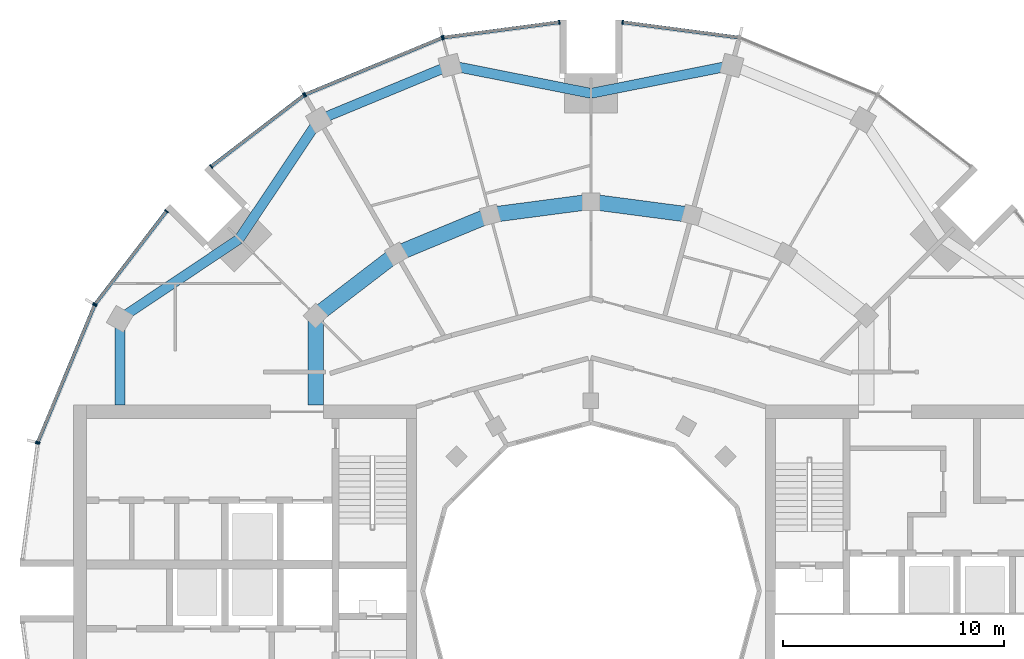
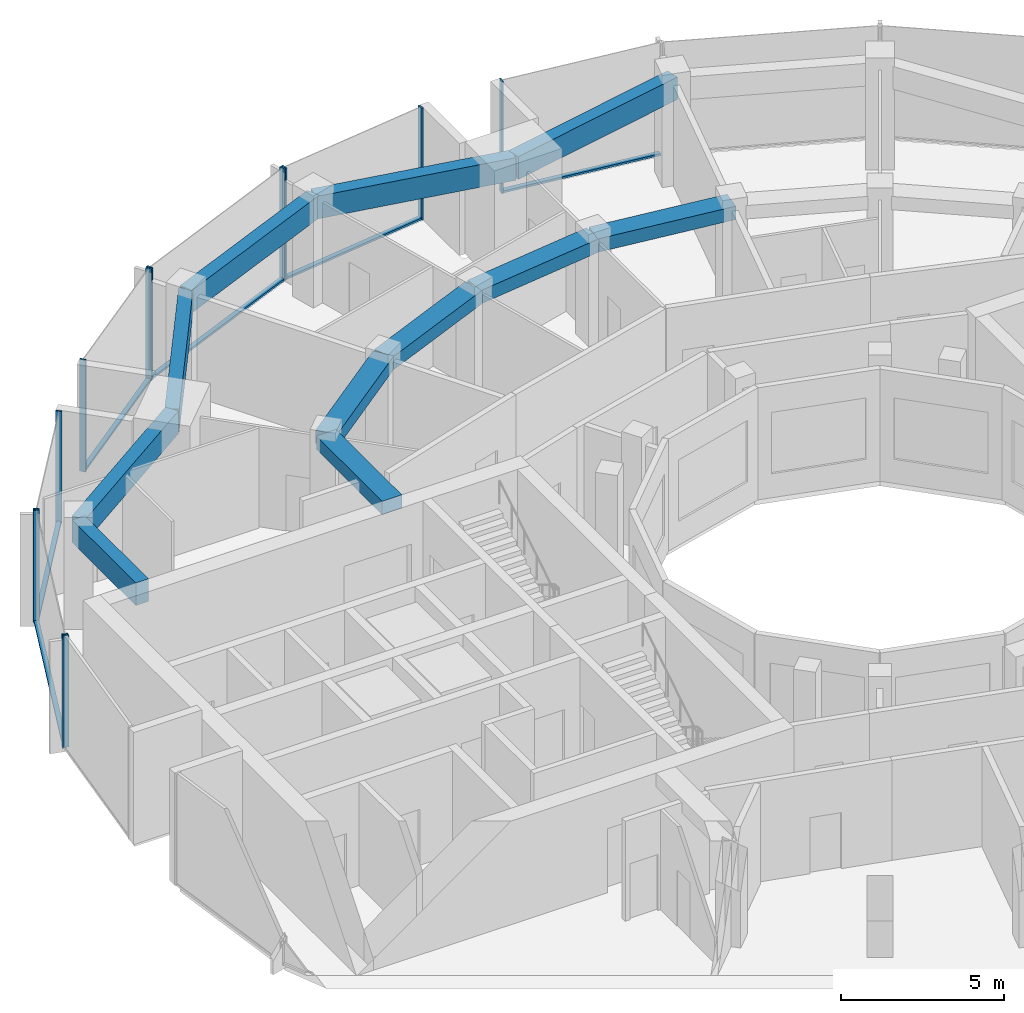
# One storey, part 5 of 15: 18 members, 11 beams, 7 elements without a shape of their own.
"""IFC4 building model written with IfcOpenShell, lengths in metres."""

from ifc_helpers import new_model, si_unit, direction, frame, origin, origin_2d, place, context, subcontext, project, spatial, rectangle, extrude, material, layer, layer_set, material_profile, profile_set, type_object, element, aggregate, save


model = new_model("IFC4")

# Units and contexts
model_context = context("Model", 3, precision=1e-05, world=origin(), true_north=direction((0.0, 1.0)))
body_context = subcontext(model_context, "Body", "Model", "MODEL_VIEW")
ifc_project = project(units=[si_unit("LENGTHUNIT", "METRE"), si_unit("AREAUNIT", "SQUARE_METRE"), si_unit("VOLUMEUNIT", "CUBIC_METRE"), si_unit("PLANEANGLEUNIT", "RADIAN"), si_unit("MASSUNIT", "GRAM", prefix="KILO")], contexts=[model_context])

# Site, building, storey
site_placement = place(None, origin())
site = spatial("IfcSite", under=ifc_project, at=site_placement, CompositionType="ELEMENT")
building_placement = place(site_placement, origin())
building = spatial("IfcBuilding", under=site, at=building_placement, Name="Torre Brocal", CompositionType="ELEMENT")
storey_placement = place(building_placement, frame((0.0, 0.0, 262.5)))
storey = spatial("IfcBuildingStorey", under=building, at=storey_placement, Name="L60", CompositionType="ELEMENT", Elevation=262.5)

# Curtain wall, member
ifc_material_1 = material(Name="Aluminium and glass", Category="aluminium")
ifc_layer_1 = layer(ifc_material_1, 0.199951171875)
ifc_layer_set_1 = layer_set([ifc_layer_1], Name="Aluminium and glass")
curtain_wall_type_1 = type_object("IfcCurtainWallType", Name="CW-1 CURTAIN WALL 4200 HIGH", PredefinedType="NOTDEFINED", material=ifc_layer_set_1)
curtain_wall_1_placement = place(storey_placement, origin())
curtain_wall_1 = element("IfcCurtainWall", 1, at=curtain_wall_1_placement, inside=storey, type_object=curtain_wall_type_1, Name="CW-1 RUN 6", PredefinedType="NOTDEFINED")
ifc_material_2 = material(Name="Aluminium, dark anodised", Category="aluminium")
ifc_material_profile_1 = material_profile(ifc_material_2, rectangle(XDim=0.199951171875, YDim=0.06005859375, at=origin_2d()), Name="CW-1 MULLION 60X200")
ifc_profile_set_1 = profile_set([ifc_material_profile_1], Name="Aluminium, dark anodised")
member_type_1 = type_object("IfcMemberType", Name="CW-1 MULLION 60X200", PredefinedType="MULLION", material=ifc_profile_set_1)
member_1_placement = place(storey_placement, frame((81.4296875, 100.7109375, 0.0), z_axis=(0.0, 0.0, 1.0), x_axis=(-0.13052619222, -0.991444861374, 0.0)))
member_1 = element("IfcMember", 2, at=member_1_placement, type_object=member_type_1, Name="CW1-5 mullion 2", PredefinedType="MULLION", context=body_context, shape_type="SweptSolid", body=[
    extrude(rectangle(XDim=0.199951171875, YDim=0.06005859375, at=origin_2d()), origin(), (0.0, 0.0, 1.0), 4.199951171875),
])

# Curtain wall, members
curtain_wall_2_placement = place(storey_placement, origin())
curtain_wall_2 = element("IfcCurtainWall", 3, at=curtain_wall_2_placement, inside=storey, type_object=curtain_wall_type_1, Name="CW-1 RUN 7", PredefinedType="NOTDEFINED")
member_2_placement = place(storey_placement, frame((78.5703125, 100.7109375, 0.0), z_axis=(0.0, 0.0, 1.0), x_axis=(0.13052619222, -0.991444861374, 0.0)))
member_2 = element("IfcMember", 4, at=member_2_placement, type_object=member_type_1, Name="CW1-5 mullion 1", PredefinedType="MULLION", context=body_context, shape_type="SweptSolid", body=[
    extrude(rectangle(XDim=0.199951171875, YDim=0.06005859375, at=origin_2d()), origin(), (0.0, 0.0, 1.0), 4.199951171875),
])
member_3_placement = place(storey_placement, frame((73.32666015625, 100.0205078125, 0.0), z_axis=(0.0, 0.0, 1.0), x_axis=(0.13052619222, -0.991444861374, 0.0)))
member_3 = element("IfcMember", 5, at=member_3_placement, type_object=member_type_1, Name="CW1-5 mullion 2", PredefinedType="MULLION", context=body_context, shape_type="SweptSolid", body=[
    extrude(rectangle(XDim=0.199951171875, YDim=0.06005859375, at=origin_2d()), origin(), (0.0, 0.0, 1.0), 4.199951171875),
])

curtain_wall_3_placement = place(storey_placement, origin())
curtain_wall_3 = element("IfcCurtainWall", 6, at=curtain_wall_3_placement, inside=storey, type_object=curtain_wall_type_1, Name="CW-1 RUN 8", PredefinedType="NOTDEFINED")
member_4_placement = place(storey_placement, frame((73.26904296875, 100.005126953125, 0.0), z_axis=(0.0, 0.0, 1.0), x_axis=(0.382683432333, -0.923879532525, 0.0)))
member_4 = element("IfcMember", 7, at=member_4_placement, type_object=member_type_1, Name="CW1-5 mullion 1", PredefinedType="MULLION", context=body_context, shape_type="SweptSolid", body=[
    extrude(rectangle(XDim=0.199951171875, YDim=0.06005859375, at=origin_2d()), origin(), (0.0, 0.0, 1.0), 4.199951171875),
])
member_5_placement = place(storey_placement, frame((67.078125, 97.440673828125, 0.0), z_axis=(0.0, 0.0, 1.0), x_axis=(0.382683432333, -0.923879532525, 0.0)))
member_5 = element("IfcMember", 8, at=member_5_placement, type_object=member_type_1, Name="CW1-5 mullion 2", PredefinedType="MULLION", context=body_context, shape_type="SweptSolid", body=[
    extrude(rectangle(XDim=0.199951171875, YDim=0.06005859375, at=origin_2d()), origin(), (0.0, 0.0, 1.0), 4.199951171875),
])

curtain_wall_4_placement = place(storey_placement, origin())
curtain_wall_4 = element("IfcCurtainWall", 9, at=curtain_wall_4_placement, inside=storey, type_object=curtain_wall_type_1, Name="CW-1 RUN 9", PredefinedType="NOTDEFINED")
member_6_placement = place(storey_placement, frame((67.026611328125, 97.4111328125, 0.0), z_axis=(0.0, 0.0, 1.0), x_axis=(0.60876142905, -0.793353340259, 0.0)))
member_6 = element("IfcMember", 10, at=member_6_placement, type_object=member_type_1, Name="CW1-5 mullion 1", PredefinedType="MULLION", context=body_context, shape_type="SweptSolid", body=[
    extrude(rectangle(XDim=0.199951171875, YDim=0.06005859375, at=origin_2d()), origin(), (0.0, 0.0, 1.0), 4.199951171875),
])
member_7_placement = place(storey_placement, frame((62.83056640625, 94.19140625, 0.0), z_axis=(0.0, 0.0, 1.0), x_axis=(0.60876142905, -0.793353340259, 0.0)))
member_7 = element("IfcMember", 11, at=member_7_placement, type_object=member_type_1, Name="CW1-5 mullion 2", PredefinedType="MULLION", context=body_context, shape_type="SweptSolid", body=[
    extrude(rectangle(XDim=0.199951171875, YDim=0.06005859375, at=origin_2d()), origin(), (0.0, 0.0, 1.0), 4.199951171875),
])

curtain_wall_5_placement = place(storey_placement, origin())
curtain_wall_5 = element("IfcCurtainWall", 12, at=curtain_wall_5_placement, inside=storey, type_object=curtain_wall_type_1, Name="CW-1 RUN 10", PredefinedType="NOTDEFINED")
member_8_placement = place(storey_placement, frame((60.80859375, 92.16943359375, 0.0), z_axis=(0.0, 0.0, 1.0), x_axis=(0.793353340259, -0.60876142905, 0.0)))
member_8 = element("IfcMember", 13, at=member_8_placement, type_object=member_type_1, Name="CW1-5 mullion 1", PredefinedType="MULLION", context=body_context, shape_type="SweptSolid", body=[
    extrude(rectangle(XDim=0.199951171875, YDim=0.06005859375, at=origin_2d()), origin(), (0.0, 0.0, 1.0), 4.199951171875),
])
member_9_placement = place(storey_placement, frame((57.5888671875, 87.973388671875, 0.0), z_axis=(0.0, 0.0, 1.0), x_axis=(0.793353340259, -0.60876142905, 0.0)))
member_9 = element("IfcMember", 14, at=member_9_placement, type_object=member_type_1, Name="CW1-5 mullion 2", PredefinedType="MULLION", context=body_context, shape_type="SweptSolid", body=[
    extrude(rectangle(XDim=0.199951171875, YDim=0.06005859375, at=origin_2d()), origin(), (0.0, 0.0, 1.0), 4.199951171875),
])

curtain_wall_6_placement = place(storey_placement, origin())
curtain_wall_6 = element("IfcCurtainWall", 15, at=curtain_wall_6_placement, inside=storey, type_object=curtain_wall_type_1, Name="CW-1 RUN 11", PredefinedType="NOTDEFINED")
member_10_placement = place(storey_placement, frame((57.559326171875, 87.921875, 0.0), z_axis=(0.0, 0.0, 1.0), x_axis=(0.923879532525, -0.382683432333, 0.0)))
member_10 = element("IfcMember", 16, at=member_10_placement, type_object=member_type_1, Name="CW1-5 mullion 1", PredefinedType="MULLION", context=body_context, shape_type="SweptSolid", body=[
    extrude(rectangle(XDim=0.199951171875, YDim=0.06005859375, at=origin_2d()), origin(), (0.0, 0.0, 1.0), 4.199951171875),
])
member_11_placement = place(storey_placement, frame((54.994873046875, 81.73095703125, 0.0), z_axis=(0.0, 0.0, 1.0), x_axis=(0.923879532525, -0.382683432333, 0.0)))
member_11 = element("IfcMember", 17, at=member_11_placement, type_object=member_type_1, Name="CW1-5 mullion 2", PredefinedType="MULLION", context=body_context, shape_type="SweptSolid", body=[
    extrude(rectangle(XDim=0.199951171875, YDim=0.06005859375, at=origin_2d()), origin(), (0.0, 0.0, 1.0), 4.199951171875),
])

# Member
ifc_material_3 = material(Name="Aluminium, dark anodised", Category="aluminium")
ifc_material_profile_2 = material_profile(ifc_material_3, rectangle(XDim=0.159912109375, YDim=0.080078125, at=origin_2d()), Name="CW-1 TRANSOM 160X80")
ifc_profile_set_2 = profile_set([ifc_material_profile_2], Name="Aluminium, dark anodised")
member_type_2 = type_object("IfcMemberType", Name="CW-1 TRANSOM 160X80", PredefinedType="USERDEFINED", material=ifc_profile_set_2)
member_12_placement = place(storey_placement, frame((86.643798828125, 100.0244140625, 0.0400390625), z_axis=(-0.991442690863, 0.130542677827, 0.0), x_axis=(-0.130542677827, -0.991442690863, 0.0)))
member_12 = element("IfcMember", 18, at=member_12_placement, type_object=member_type_2, Name="CW1-5 transom 1.1", ObjectType="TRANSOM", PredefinedType="USERDEFINED", context=body_context, shape_type="SweptSolid", body=[
    extrude(rectangle(XDim=0.159912109375, YDim=0.080078125, at=origin_2d()), origin(), (0.0, 0.0, 1.0), 5.22900390625),
])

aggregate(curtain_wall_1, [member_1, member_12])

member_13_placement = place(storey_placement, frame((78.54052734375, 100.70703125, 0.0400390625), z_axis=(-0.991442690863, -0.130542677827, 0.0), x_axis=(0.130542677827, -0.991442690863, 0.0)))
member_13 = element("IfcMember", 19, at=member_13_placement, type_object=member_type_2, Name="CW1-5 transom 1.1", ObjectType="TRANSOM", PredefinedType="USERDEFINED", context=body_context, shape_type="SweptSolid", body=[
    extrude(rectangle(XDim=0.159912109375, YDim=0.080078125, at=origin_2d()), origin(), (0.0, 0.0, 1.0), 5.22900390625),
])

aggregate(curtain_wall_2, [member_2, member_3, member_13])

member_14_placement = place(storey_placement, frame((73.241455078125, 99.99365234375, 0.0400390625), z_axis=(-0.923887344364, -0.38266457234, 0.0), x_axis=(0.38266457234, -0.923887344364, 0.0)))
member_14 = element("IfcMember", 20, at=member_14_placement, type_object=member_type_2, Name="CW1-5 transom 1.1", ObjectType="TRANSOM", PredefinedType="USERDEFINED", context=body_context, shape_type="SweptSolid", body=[
    extrude(rectangle(XDim=0.159912109375, YDim=0.080078125, at=origin_2d()), origin(), (0.0, 0.0, 1.0), 6.640869140625),
])

aggregate(curtain_wall_3, [member_4, member_5, member_14])

member_15_placement = place(storey_placement, frame((67.0029296875, 97.392822265625, 0.0400390625), z_axis=(-0.79336281513, -0.60874908096, 0.0), x_axis=(0.60874908096, -0.79336281513, 0.0)))
member_15 = element("IfcMember", 21, at=member_15_placement, type_object=member_type_2, Name="CW1-5 transom 1.1", ObjectType="TRANSOM", PredefinedType="USERDEFINED", context=body_context, shape_type="SweptSolid", body=[
    extrude(rectangle(XDim=0.159912109375, YDim=0.080078125, at=origin_2d()), origin(), (0.0, 0.0, 1.0), 5.22900390625),
])

aggregate(curtain_wall_4, [member_6, member_7, member_15])

member_16_placement = place(storey_placement, frame((60.790283203125, 92.1455078125, 0.0400390625), z_axis=(-0.60874908096, -0.79336281513, 0.0), x_axis=(0.79336281513, -0.60874908096, 0.0)))
member_16 = element("IfcMember", 22, at=member_16_placement, type_object=member_type_2, Name="CW1-5 transom 1.1", ObjectType="TRANSOM", PredefinedType="USERDEFINED", context=body_context, shape_type="SweptSolid", body=[
    extrude(rectangle(XDim=0.159912109375, YDim=0.080078125, at=origin_2d()), origin(), (0.0, 0.0, 1.0), 5.22900390625),
])

aggregate(curtain_wall_5, [member_8, member_9, member_16])

member_17_placement = place(storey_placement, frame((57.547607421875, 87.89404296875, 0.0400390625), z_axis=(-0.38266457234, -0.923887344364, 0.0), x_axis=(0.923887344364, -0.38266457234, 0.0)))
member_17 = element("IfcMember", 23, at=member_17_placement, type_object=member_type_2, Name="CW1-5 transom 1.1", ObjectType="TRANSOM", PredefinedType="USERDEFINED", context=body_context, shape_type="SweptSolid", body=[
    extrude(rectangle(XDim=0.159912109375, YDim=0.080078125, at=origin_2d()), origin(), (0.0, 0.0, 1.0), 6.640869140625),
])

aggregate(curtain_wall_6, [member_10, member_11, member_17])

# Curtain wall, member
ifc_material_4 = material(Name="Aluminium and glass", Category="aluminium")
ifc_layer_2 = layer(ifc_material_4, 0.199951171875)
ifc_layer_set_2 = layer_set([ifc_layer_2], Name="Aluminium and glass")
curtain_wall_type_2 = type_object("IfcCurtainWallType", Name="CW-1B CURTAIN WALL 4200 HIGH", PredefinedType="NOTDEFINED", material=ifc_layer_set_2)
curtain_wall_7_placement = place(storey_placement, origin())
curtain_wall_7 = element("IfcCurtainWall", 24, at=curtain_wall_7_placement, inside=storey, type_object=curtain_wall_type_2, Name="CW-1B RUN 12", PredefinedType="NOTDEFINED")
ifc_material_5 = material(Name="Aluminium, dark anodised", Category="aluminium")
ifc_material_profile_3 = material_profile(ifc_material_5, rectangle(XDim=0.199951171875, YDim=0.06005859375, at=origin_2d()), Name="CW-1B MULLION 60X200")
ifc_profile_set_3 = profile_set([ifc_material_profile_3], Name="Aluminium, dark anodised")
member_type_3 = type_object("IfcMemberType", Name="CW-1B MULLION 60X200", PredefinedType="MULLION", material=ifc_profile_set_3)
member_18_placement = place(storey_placement, frame((54.9794921875, 81.67333984375, 0.0), z_axis=(0.0, 0.0, 1.0), x_axis=(0.991444861374, -0.13052619222, 0.0)))
member_18 = element("IfcMember", 25, at=member_18_placement, type_object=member_type_3, Name="CW1B-5 mullion 1", PredefinedType="MULLION", context=body_context, shape_type="SweptSolid", body=[
    extrude(rectangle(XDim=0.199951171875, YDim=0.06005859375, at=origin_2d()), origin(), (0.0, 0.0, 1.0), 4.199951171875),
])
aggregate(curtain_wall_7, [member_18])

# Beams
ifc_material_6 = material(Name="Concrete C50", Category="concrete")
ifc_material_profile_4 = material_profile(ifc_material_6, rectangle(XDim=0.699951171875, YDim=0.5, at=origin_2d()), Name="RC 700X500")
ifc_profile_set_4 = profile_set([ifc_material_profile_4], Name="Concrete C50")
beam_type_1 = type_object("IfcBeamType", Name="RC BEAM 700X500 C50 TOP 3880", PredefinedType="BEAM", material=ifc_profile_set_4)
for number, where, z_axis, x_axis, name in (
    (26, (84.55517578125, 92.000244140625, 3.6298828125), (-0.991440544449, 0.130558978332, 0.0), (-0.130558978332, -0.991440544449, 0.0), "Beam BT-37"),
    (27, (80.0, 92.60009765625, 3.6298828125), (-0.991440544449, -0.130558978332, 0.0), (0.130558978332, -0.991440544449, 0.0), "Beam BT-37"),
):
    element("IfcBeam", number, at=place(storey_placement, frame(where, z_axis=z_axis, x_axis=x_axis)), inside=storey, type_object=beam_type_1, Name=name, PredefinedType="BEAM", context=body_context, shape_type="SweptSolid", body=[
        extrude(rectangle(XDim=0.699951171875, YDim=0.5, at=origin_2d()), origin(), (0.0, 0.0, 1.0), 4.594482421875),
    ])
beam_1_placement = place(storey_placement, frame((75.44482421875, 92.000244140625, 3.6298828125), z_axis=(-0.923878240166, -0.382686552348, 0.0), x_axis=(0.382686552348, -0.923878240166, 0.0)))
element("IfcBeam", 28, at=beam_1_placement, inside=storey, type_object=beam_type_1, Name="Beam BT-37", PredefinedType="BEAM", context=body_context, shape_type="SweptSolid", body=[
    extrude(rectangle(XDim=0.699951171875, YDim=0.5, at=origin_2d()), origin(), (0.0, 0.0, 1.0), 4.5947265625),
])
beam_2_placement = place(storey_placement, frame((71.199951171875, 90.241943359375, 3.6298828125), z_axis=(-0.793358265959, -0.6087550097, 0.0), x_axis=(0.6087550097, -0.793358265959, 0.0)))
element("IfcBeam", 29, at=beam_2_placement, inside=storey, type_object=beam_type_1, Name="Beam BT-37", PredefinedType="BEAM", context=body_context, shape_type="SweptSolid", body=[
    extrude(rectangle(XDim=0.699951171875, YDim=0.5, at=origin_2d()), origin(), (0.0, 0.0, 1.0), 4.594482421875),
])
beam_3_placement = place(storey_placement, frame((67.554931640625, 87.445068359375, 3.6298828125), z_axis=(0.0, -1.0, 0.0), x_axis=(1.0, 0.0, 0.0)))
element("IfcBeam", 30, at=beam_3_placement, inside=storey, type_object=beam_type_1, Name="Beam BT-37", PredefinedType="BEAM", context=body_context, shape_type="SweptSolid", body=[
    extrude(rectangle(XDim=0.699951171875, YDim=0.5, at=origin_2d()), origin(), (0.0, 0.0, 1.0), 4.045166015625),
])
ifc_material_7 = material(Name="Concrete C50", Category="concrete")
ifc_material_profile_5 = material_profile(ifc_material_7, rectangle(XDim=0.449951171875, YDim=0.85009765625, at=origin_2d()), Name="RC 450X850")
ifc_profile_set_5 = profile_set([ifc_material_profile_5], Name="Concrete C50")
beam_type_2 = type_object("IfcBeamType", Name="RC SPANDREL BEAM 450X850 C50 TOP 3880", PredefinedType="SPANDREL", material=ifc_profile_set_5)
for number, where, z_axis, x_axis, name in (
    (31, (86.366943359375, 98.76171875, 3.455078125), (-0.980924907484, -0.194387051723, 0.0), (0.194387051723, -0.980924907484, 0.0), "Beam BT-38"),
    (32, (80.0, 97.5, 3.455078125), (-0.980924907484, 0.194387051723, 0.0), (-0.194387051723, -0.980924907484, 0.0), "Beam BT-38"),
):
    element("IfcBeam", number, at=place(storey_placement, frame(where, z_axis=z_axis, x_axis=x_axis)), inside=storey, type_object=beam_type_2, Name=name, PredefinedType="SPANDREL", context=body_context, shape_type="SweptSolid", body=[
        extrude(rectangle(XDim=0.449951171875, YDim=0.85009765625, at=origin_2d()), origin(), (0.0, 0.0, 1.0), 6.49072265625),
    ])
beam_4_placement = place(storey_placement, frame((73.633056640625, 98.76171875, 3.455078125), z_axis=(-0.923882462513, -0.382676358639, 0.0), x_axis=(0.382676358639, -0.923882462513, 0.0)))
element("IfcBeam", 33, at=beam_4_placement, inside=storey, type_object=beam_type_2, Name="Beam BT-38", PredefinedType="SPANDREL", context=body_context, shape_type="SweptSolid", body=[
    extrude(rectangle(XDim=0.449951171875, YDim=0.85009765625, at=origin_2d()), origin(), (0.0, 0.0, 1.0), 6.421875),
])
for number, where, z_axis, x_axis, name in (
    (34, (67.699951171875, 96.30419921875, 3.455078125), (-0.556157602282, -0.831076844476, 0.0), (0.831076844476, -0.556157602282, 0.0), "Beam BT-38"),
    (35, (64.090087890625, 90.909912109375, 3.455078125), (-0.831076844476, -0.556157602282, 0.0), (0.556157602282, -0.831076844476, 0.0), "Beam BT-38"),
):
    element("IfcBeam", number, at=place(storey_placement, frame(where, z_axis=z_axis, x_axis=x_axis)), inside=storey, type_object=beam_type_2, Name=name, PredefinedType="SPANDREL", context=body_context, shape_type="SweptSolid", body=[
        extrude(rectangle(XDim=0.449951171875, YDim=0.85009765625, at=origin_2d()), origin(), (0.0, 0.0, 1.0), 6.49072265625),
    ])
beam_5_placement = place(storey_placement, frame((58.69580078125, 87.300048828125, 3.455078125), z_axis=(0.0, -1.0, 0.0), x_axis=(1.0, 0.0, 0.0)))
element("IfcBeam", 36, at=beam_5_placement, inside=storey, type_object=beam_type_2, Name="Beam BT-38", PredefinedType="SPANDREL", context=body_context, shape_type="SweptSolid", body=[
    extrude(rectangle(XDim=0.449951171875, YDim=0.85009765625, at=origin_2d()), origin(), (0.0, 0.0, 1.0), 3.900146484375),
])

save(model, "model.ifc")
